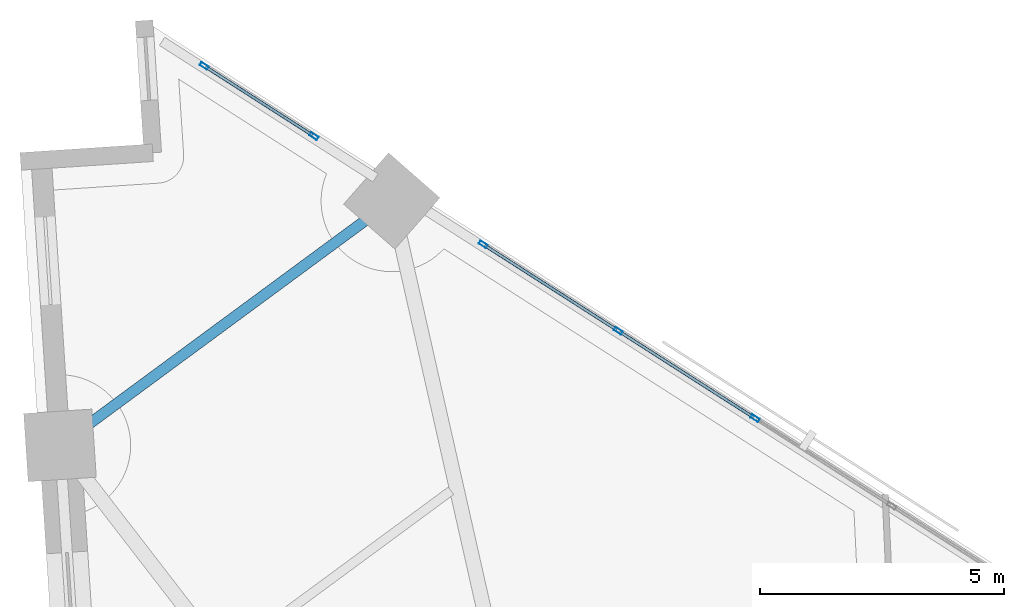
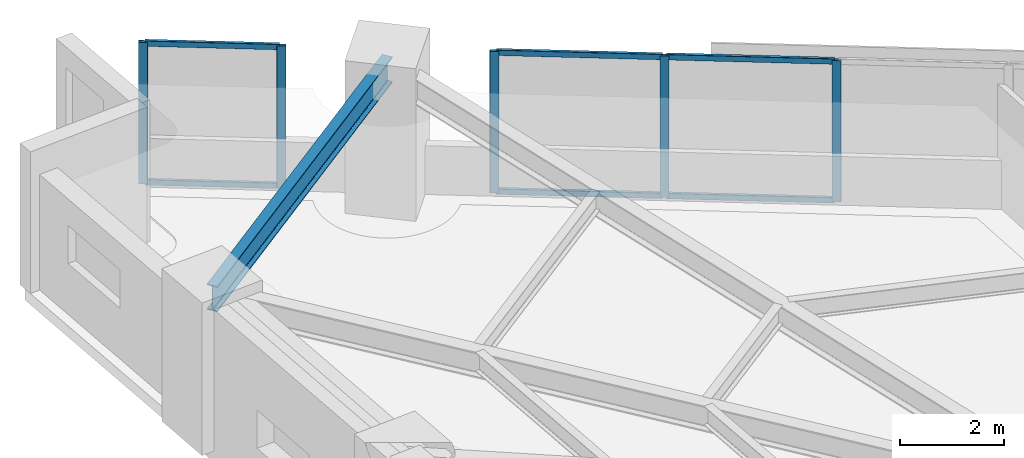
# One storey, part 8 of 15: 11 members, 1 beam, 2 elements without a shape of their own.
"""IFC4 building model written with IfcOpenShell, lengths in metres."""

from ifc_helpers import new_model, si_unit, direction, frame, origin, origin_2d, place, context, subcontext, project, spatial, hollow_rectangle, i_section, extrude, material, material_profile, profile_set, type_object, element, aggregate, save


model = new_model("IFC4")

# Units and contexts
model_context = context("Model", 3, precision=1e-05, world=origin(), true_north=direction((0.0, 1.0)))
body_context = subcontext(model_context, "Body", "Model", "MODEL_VIEW")
ifc_project = project(units=[si_unit("LENGTHUNIT", "METRE"), si_unit("AREAUNIT", "SQUARE_METRE"), si_unit("VOLUMEUNIT", "CUBIC_METRE"), si_unit("PLANEANGLEUNIT", "RADIAN"), si_unit("MASSUNIT", "GRAM", prefix="KILO")], contexts=[model_context])

# Site, building, storey
site_placement = place(None, origin())
site = spatial("IfcSite", under=ifc_project, at=site_placement, CompositionType="ELEMENT")
building_placement = place(site_placement, origin())
building = spatial("IfcBuilding", under=site, at=building_placement, Name="Narakoshi Arena Tower", CompositionType="ELEMENT")
storey_placement = place(building_placement, frame((0.0, 0.0, 74.10009765625)))
storey = spatial("IfcBuildingStorey", under=building, at=storey_placement, Name="L19", CompositionType="ELEMENT", Elevation=74.10009765625)

# Beam
ifc_material_1 = material(Name="Structural steel S355J2", Category="steel")
ifc_material_profile_1 = material_profile(ifc_material_1, i_section(OverallWidth=0.219970703125, OverallDepth=0.60009765625, WebThickness=0.011962890625, FlangeThickness=0.01904296875, FilletRadius=0.02392578125, at=origin_2d()), Name="IPE600")
ifc_profile_set_1 = profile_set([ifc_material_profile_1], Name="Structural steel S355J2")
beam_type = type_object("IfcBeamType", Name="BM-EDGE-600", PredefinedType="BEAM", material=ifc_profile_set_1)
beam_placement = place(storey_placement, frame((67.58984375, 76.04345703125, 3.039794921875), z_axis=(-0.805132069621, -0.59309556605, 0.0), x_axis=(0.59309556605, -0.805132069621, 0.0)))
element("IfcBeam", 1, at=beam_placement, inside=storey, type_object=beam_type, Name="L19 Perimeter Edge Girder 11", PredefinedType="BEAM", context=body_context, shape_type="SweptSolid", body=[
    extrude(i_section(OverallWidth=0.219970703125, OverallDepth=0.60009765625, WebThickness=0.011962890625, FlangeThickness=0.01904296875, FilletRadius=0.02392578125, at=origin_2d()), origin(), (0.0, 0.0, 1.0), 8.451416015625),
])

# Curtain wall, members
ifc_material_2 = material(Name="Anodised bronze aluminium 6063-T6", Category="aluminium")
curtain_wall_type = type_object("IfcCurtainWallType", Name="CW-HYP-LOW", PredefinedType="NOTDEFINED", material=ifc_material_2)
curtain_wall_1_placement = place(storey_placement, origin())
curtain_wall_1 = element("IfcCurtainWall", 2, at=curtain_wall_1_placement, inside=storey, type_object=curtain_wall_type, Name="L19 Folded Hypotenuse Curtain Wall 2-2", PredefinedType="NOTDEFINED")
ifc_material_profile_2 = material_profile(ifc_material_2, hollow_rectangle(XDim=0.074951171875, YDim=0.179931640625, WallThickness=0.00390625, OuterFilletRadius=0.0048828125, at=origin_2d()), Name="MUL180x75x4")
ifc_profile_set_2 = profile_set([ifc_material_profile_2], Name="Anodised bronze aluminium 6063-T6")
member_type_1 = type_object("IfcMemberType", Name="MEM-MUL-180", PredefinedType="MULLION", material=ifc_profile_set_2)
member_1_placement = place(storey_placement, frame((75.039794921875, 71.5869140625, 0.0), z_axis=(0.0, 0.0, 1.0), x_axis=(-0.538829098714, -0.842415100992, 0.0)))
member_1 = element("IfcMember", 3, at=member_1_placement, type_object=member_type_1, Name="CW-01 mullion 4", PredefinedType="MULLION", context=body_context, shape_type="SweptSolid", body=[
    extrude(hollow_rectangle(XDim=0.074951171875, YDim=0.179931640625, WallThickness=0.00390625, OuterFilletRadius=0.0048828125, at=origin_2d()), origin(), (0.0, 0.0, 1.0), 3.33984375),
])
member_2_placement = place(storey_placement, frame((72.236083984375, 73.380126953125, 0.0), z_axis=(0.0, 0.0, 1.0), x_axis=(-0.538829098714, -0.842415100992, 0.0)))
member_2 = element("IfcMember", 4, at=member_2_placement, type_object=member_type_1, Name="CW-01 mullion 5", PredefinedType="MULLION", context=body_context, shape_type="SweptSolid", body=[
    extrude(hollow_rectangle(XDim=0.074951171875, YDim=0.179931640625, WallThickness=0.00390625, OuterFilletRadius=0.0048828125, at=origin_2d()), origin(), (0.0, 0.0, 1.0), 3.33984375),
])
member_3_placement = place(storey_placement, frame((69.464111328125, 75.1533203125, 0.0), z_axis=(0.0, 0.0, 1.0), x_axis=(-0.538829098714, -0.842415100992, 0.0)))
member_3 = element("IfcMember", 5, at=member_3_placement, type_object=member_type_1, Name="CW-01 mullion 6", PredefinedType="MULLION", context=body_context, shape_type="SweptSolid", body=[
    extrude(hollow_rectangle(XDim=0.074951171875, YDim=0.179931640625, WallThickness=0.00390625, OuterFilletRadius=0.0048828125, at=origin_2d()), origin(), (0.0, 0.0, 1.0), 3.33984375),
])

curtain_wall_2_placement = place(storey_placement, origin())
curtain_wall_2 = element("IfcCurtainWall", 6, at=curtain_wall_2_placement, inside=storey, type_object=curtain_wall_type, Name="L19 Folded Hypotenuse Curtain Wall 2-3", PredefinedType="NOTDEFINED")
member_4_placement = place(storey_placement, frame((65.99462890625, 77.372314453125, 0.0), z_axis=(0.0, 0.0, 1.0), x_axis=(-0.538841109017, -0.842407418791, 0.0)))
member_4 = element("IfcMember", 7, at=member_4_placement, type_object=member_type_1, Name="CW-01 mullion 1", PredefinedType="MULLION", context=body_context, shape_type="SweptSolid", body=[
    extrude(hollow_rectangle(XDim=0.074951171875, YDim=0.179931640625, WallThickness=0.00390625, OuterFilletRadius=0.0048828125, at=origin_2d()), origin(), (0.0, 0.0, 1.0), 3.33984375),
])
member_5_placement = place(storey_placement, frame((63.7412109375, 78.813720703125, 0.0), z_axis=(0.0, 0.0, 1.0), x_axis=(-0.538841109017, -0.842407418791, 0.0)))
member_5 = element("IfcMember", 8, at=member_5_placement, type_object=member_type_1, Name="CW-01 mullion 2", PredefinedType="MULLION", context=body_context, shape_type="SweptSolid", body=[
    extrude(hollow_rectangle(XDim=0.074951171875, YDim=0.179931640625, WallThickness=0.00390625, OuterFilletRadius=0.0048828125, at=origin_2d()), origin(), (0.0, 0.0, 1.0), 3.33984375),
])

# Member
ifc_material_profile_3 = material_profile(ifc_material_2, hollow_rectangle(XDim=0.06494140625, YDim=0.1298828125, WallThickness=0.00390625, OuterFilletRadius=0.0048828125, at=origin_2d()), Name="TRN130x65x4")
ifc_profile_set_3 = profile_set([ifc_material_profile_3], Name="Anodised bronze aluminium 6063-T6")
member_type_2 = type_object("IfcMemberType", Name="MEM-TRN-130", PredefinedType="USERDEFINED", material=ifc_profile_set_3)
member_6_placement = place(storey_placement, frame((75.00830078125, 71.60693359375, 0.032470703125), z_axis=(-0.842407668774, 0.5388407182, 0.0), x_axis=(-0.5388407182, -0.842407668774, 0.0)))
member_6 = element("IfcMember", 9, at=member_6_placement, type_object=member_type_2, Name="CW-01 transom 4.1", ObjectType="TRANSOM", PredefinedType="USERDEFINED", context=body_context, shape_type="SweptSolid", body=[
    extrude(hollow_rectangle(XDim=0.06494140625, YDim=0.1298828125, WallThickness=0.00390625, OuterFilletRadius=0.0048828125, at=origin_2d()), origin(), (0.0, 0.0, 1.0), 3.253173828125),
])

member_7_placement = place(storey_placement, frame((75.00830078125, 71.60693359375, 3.307373046875), z_axis=(-0.842407668774, 0.5388407182, 0.0), x_axis=(-0.5388407182, -0.842407668774, 0.0)))
member_7 = element("IfcMember", 10, at=member_7_placement, type_object=member_type_2, Name="CW-01 transom 4.2", ObjectType="TRANSOM", PredefinedType="USERDEFINED", context=body_context, shape_type="SweptSolid", body=[
    extrude(hollow_rectangle(XDim=0.06494140625, YDim=0.1298828125, WallThickness=0.00390625, OuterFilletRadius=0.0048828125, at=origin_2d()), origin(), (0.0, 0.0, 1.0), 3.253173828125),
])

member_8_placement = place(storey_placement, frame((72.20458984375, 73.400390625, 0.032470703125), z_axis=(-0.842424416084, 0.538814535053, 0.0), x_axis=(-0.538814535053, -0.842424416084, 0.0)))
member_8 = element("IfcMember", 11, at=member_8_placement, type_object=member_type_2, Name="CW-01 transom 5.1", ObjectType="TRANSOM", PredefinedType="USERDEFINED", context=body_context, shape_type="SweptSolid", body=[
    extrude(hollow_rectangle(XDim=0.06494140625, YDim=0.1298828125, WallThickness=0.00390625, OuterFilletRadius=0.0048828125, at=origin_2d()), origin(), (0.0, 0.0, 1.0), 3.2158203125),
])

member_9_placement = place(storey_placement, frame((72.20458984375, 73.400390625, 3.307373046875), z_axis=(-0.842424416084, 0.538814535053, 0.0), x_axis=(-0.538814535053, -0.842424416084, 0.0)))
member_9 = element("IfcMember", 12, at=member_9_placement, type_object=member_type_2, Name="CW-01 transom 5.2", ObjectType="TRANSOM", PredefinedType="USERDEFINED", context=body_context, shape_type="SweptSolid", body=[
    extrude(hollow_rectangle(XDim=0.06494140625, YDim=0.1298828125, WallThickness=0.00390625, OuterFilletRadius=0.0048828125, at=origin_2d()), origin(), (0.0, 0.0, 1.0), 3.2158203125),
])

aggregate(curtain_wall_1, [member_1, member_2, member_3, member_6, member_7, member_8, member_9])

member_10_placement = place(storey_placement, frame((65.963134765625, 77.392578125, 0.032470703125), z_axis=(-0.84237541022, 0.538891146946, 0.0), x_axis=(-0.538891146946, -0.84237541022, 0.0)))
member_10 = element("IfcMember", 13, at=member_10_placement, type_object=member_type_2, Name="CW-01 transom 1.1", ObjectType="TRANSOM", PredefinedType="USERDEFINED", context=body_context, shape_type="SweptSolid", body=[
    extrude(hollow_rectangle(XDim=0.06494140625, YDim=0.1298828125, WallThickness=0.00390625, OuterFilletRadius=0.0048828125, at=origin_2d()), origin(), (0.0, 0.0, 1.0), 2.60009765625),
])

member_11_placement = place(storey_placement, frame((65.963134765625, 77.392578125, 3.307373046875), z_axis=(-0.84237541022, 0.538891146946, 0.0), x_axis=(-0.538891146946, -0.84237541022, 0.0)))
member_11 = element("IfcMember", 14, at=member_11_placement, type_object=member_type_2, Name="CW-01 transom 1.2", ObjectType="TRANSOM", PredefinedType="USERDEFINED", context=body_context, shape_type="SweptSolid", body=[
    extrude(hollow_rectangle(XDim=0.06494140625, YDim=0.1298828125, WallThickness=0.00390625, OuterFilletRadius=0.0048828125, at=origin_2d()), origin(), (0.0, 0.0, 1.0), 2.60009765625),
])

aggregate(curtain_wall_2, [member_4, member_5, member_10, member_11])

save(model, "model.ifc")
